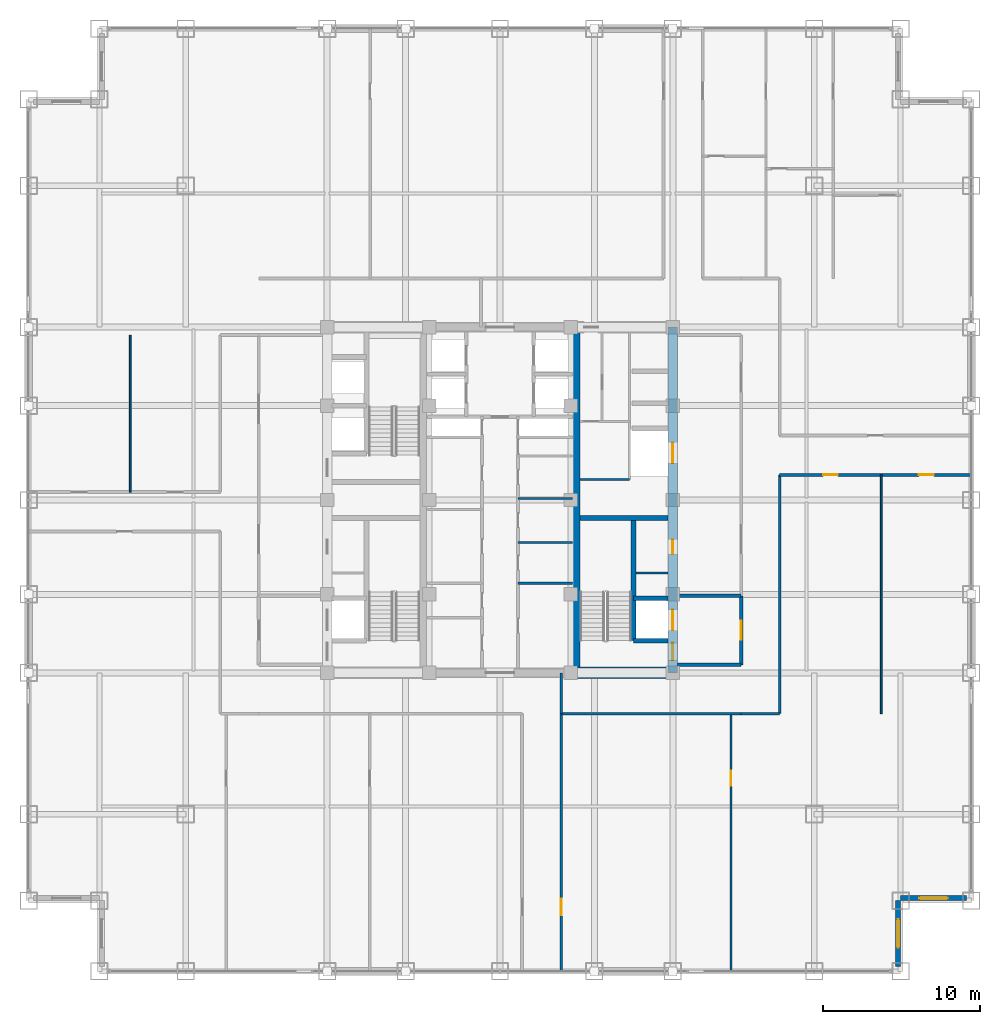
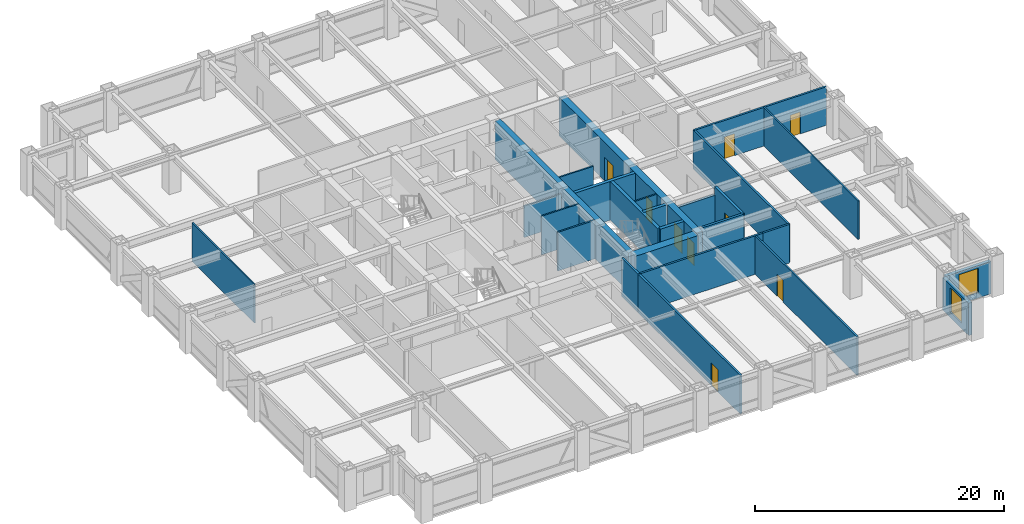
# One storey, part 21 of 24: 26 walls, 9 doors, 2 windows, 11 openings.
"""IFC4 building model written with IfcOpenShell, lengths in metres."""

from ifc_helpers import new_model, si_unit, direction, frame, frame_2d, origin, place, context, subcontext, project, spatial, rectangle, extrude, source, transform, mapped, material, layer, layer_set, type_object, element, fill, save


model = new_model("IFC4")

# Units and contexts
model_context = context("Model", 3, precision=1e-05, world=origin(), true_north=direction((0.0, 1.0)))
body_context = subcontext(model_context, "Body", "Model", "MODEL_VIEW")
ifc_project = project(units=[si_unit("LENGTHUNIT", "METRE"), si_unit("AREAUNIT", "SQUARE_METRE"), si_unit("VOLUMEUNIT", "CUBIC_METRE"), si_unit("PLANEANGLEUNIT", "RADIAN"), si_unit("MASSUNIT", "GRAM", prefix="KILO")], contexts=[model_context])

# Site, building, storey
site_placement = place(None, origin())
site = spatial("IfcSite", under=ifc_project, at=site_placement, CompositionType="ELEMENT")
building_placement = place(site_placement, origin())
building = spatial("IfcBuilding", under=site, at=building_placement, Name="Khorayat Bourse Tower", CompositionType="ELEMENT")
storey_placement = place(building_placement, frame((0.0, 0.0, 203.10009765625)))
storey = spatial("IfcBuildingStorey", under=building, at=storey_placement, Name="L47", CompositionType="ELEMENT", Elevation=203.10009765625)

# Wall, openings, doors
ifc_material_1 = material(Name="Concrete C60/75", Category="concrete")
ifc_layer_1 = layer(ifc_material_1, 0.60009765625)
ifc_layer_set_1 = layer_set([ifc_layer_1], Name="Concrete C60/75")
wall_type_1 = type_object("IfcWallType", Name="WAL-CORE-600", PredefinedType="SHEAR", material=ifc_layer_set_1)
shared_shape_1 = source(origin(), body_context, "Body", "SweptSolid", [
    extrude(rectangle(XDim=22.0, YDim=0.60009765625, at=frame_2d((11.0, 0.0))), origin(), (0.0, 0.0, 1.0), 3.77978515625),
])
wall_1_placement = place(storey_placement, frame((11.0, -11.0, 0.0), z_axis=(0.0, 0.0, 1.0), x_axis=(0.0, 1.0, 0.0)))
wall_1 = element("IfcWall", 1, at=wall_1_placement, inside=storey, type_object=wall_type_1, Name="L47 Core Shear Wall CORE-E", PredefinedType="SHEAR", context=body_context, shape_type="MappedRepresentation", body=[
    mapped(shared_shape_1, transform((0.0, 0.0, 0.0), scale=1.0)),
])
shared_shape_2 = source(origin(), body_context, "Body", "SweptSolid", [
    extrude(rectangle(XDim=1.10009765625, YDim=2.199951171875, at=frame_2d((0.550048828125, 1.10009765625))), frame((0.0, 0.31005859375, 0.0), z_axis=(0.0, -1.0, 0.0), x_axis=(1.0, 0.0, 0.0)), (0.0, 0.0, 1.0), 0.6201171875),
])
opening_1_placement = place(wall_1_placement, frame((0.800048828125, 0.0, 0.0)))
opening_1 = element("IfcOpeningElement", 2, at=opening_1_placement, cuts=wall_1, Name="Opening DI-01", PredefinedType="OPENING", context=body_context, shape_type="MappedRepresentation", body=[
    mapped(shared_shape_2, transform((0.0, 0.0, 0.0), scale=1.0)),
])
shared_shape_3 = source(origin(), body_context, "Body", "SweptSolid", [
    extrude(rectangle(XDim=0.89990234375, YDim=2.14990234375, at=frame_2d((0.449951171875, 1.074951171875))), frame((0.0, 0.31005859375, 0.0), z_axis=(0.0, -1.0, 0.0), x_axis=(1.0, 0.0, 0.0)), (0.0, 0.0, 1.0), 0.6201171875),
])
opening_2_placement = place(wall_1_placement, frame((7.574951171875, 0.0, 0.0)))
opening_2 = element("IfcOpeningElement", 3, at=opening_2_placement, cuts=wall_1, Name="Opening DI-06", PredefinedType="OPENING", context=body_context, shape_type="MappedRepresentation", body=[
    mapped(shared_shape_3, transform((0.0, 0.0, 0.0), scale=1.0)),
])
shared_shape_4 = source(origin(), body_context, "Body", "SweptSolid", [
    extrude(rectangle(XDim=1.300048828125, YDim=2.300048828125, at=frame_2d((0.64990234375, 1.14990234375))), frame((0.0, 0.31005859375, 0.0), z_axis=(0.0, -1.0, 0.0), x_axis=(1.0, 0.0, 0.0)), (0.0, 0.0, 1.0), 0.6201171875),
])
opening_3_placement = place(wall_1_placement, frame((2.699951171875, 0.0, 0.0)))
opening_3 = element("IfcOpeningElement", 4, at=opening_3_placement, cuts=wall_1, Name="Opening LD-02", PredefinedType="OPENING", context=body_context, shape_type="MappedRepresentation", body=[
    mapped(shared_shape_4, transform((0.0, 0.0, 0.0), scale=1.0)),
])
opening_4_placement = place(wall_1_placement, frame((13.35009765625, 0.0, 0.0)))
opening_4 = element("IfcOpeningElement", 5, at=opening_4_placement, cuts=wall_1, Name="Opening LD-02", PredefinedType="OPENING", context=body_context, shape_type="MappedRepresentation", body=[
    mapped(shared_shape_4, transform((0.0, 0.0, 0.0), scale=1.0)),
])
ifc_material_2 = material(Name="Fire-rated steel acoustic leaf", Category="steel")
door_type_1 = type_object("IfcDoorType", Name="DR-INT-STAIR-1100", OperationType="NOTDEFINED", PredefinedType="DOOR", material=ifc_material_2)
shared_shape_5 = source(origin(), body_context, "Body", "SweptSolid", [
    extrude(rectangle(XDim=1.10009765625, YDim=2.199951171875, at=frame_2d((0.550048828125, 1.10009765625))), frame((0.0, 0.02490234375, 0.0), z_axis=(0.0, -1.0, 0.0), x_axis=(1.0, 0.0, 0.0)), (0.0, 0.0, 1.0), 0.050048828125),
])
door_1_placement = place(opening_1_placement, origin())
door_1 = element("IfcDoor", 6, at=door_1_placement, inside=storey, type_object=door_type_1, Name="L47 Exit Stair 3 Door", OperationType="SINGLE_SWING_LEFT", OverallHeight=2.199951171875, OverallWidth=1.10009765625, PredefinedType="DOOR", context=body_context, shape_type="MappedRepresentation", body=[
    mapped(shared_shape_5, transform((0.0, 0.0, 0.0), scale=1.0)),
])
fill(opening_1, door_1)
ifc_material_3 = material(Name="Moisture-resistant laminate washroom door")
door_type_2 = type_object("IfcDoorType", Name="DR-INT-WC-900", OperationType="NOTDEFINED", PredefinedType="DOOR", material=ifc_material_3)
shared_shape_6 = source(origin(), body_context, "Body", "SweptSolid", [
    extrude(rectangle(XDim=0.89990234375, YDim=2.14990234375, at=frame_2d((0.449951171875, 1.074951171875))), frame((0.0, 0.02490234375, 0.0), z_axis=(0.0, -1.0, 0.0), x_axis=(1.0, 0.0, 0.0)), (0.0, 0.0, 1.0), 0.050048828125),
])
door_2_placement = place(opening_2_placement, origin())
door_2 = element("IfcDoor", 7, at=door_2_placement, inside=storey, type_object=door_type_2, Name="L47 Fiber Server Plant Room Door", OperationType="SINGLE_SWING_LEFT", OverallHeight=2.14990234375, OverallWidth=0.89990234375, PredefinedType="DOOR", context=body_context, shape_type="MappedRepresentation", body=[
    mapped(shared_shape_6, transform((0.0, 0.0, 0.0), scale=1.0)),
])
fill(opening_2, door_2)
ifc_material_4 = material(Name="Fire-rated stainless-steel sliding landing door", Category="steel")
door_type_3 = type_object("IfcDoorType", Name="DR-LIFT-FF-1300", OperationType="NOTDEFINED", PredefinedType="DOOR", material=ifc_material_4)
shared_shape_7 = source(origin(), body_context, "Body", "SweptSolid", [
    extrude(rectangle(XDim=1.300048828125, YDim=2.300048828125, at=frame_2d((0.64990234375, 1.14990234375))), frame((0.0, 0.02490234375, 0.0), z_axis=(0.0, -1.0, 0.0), x_axis=(1.0, 0.0, 0.0)), (0.0, 0.0, 1.0), 0.050048828125),
])
door_3_placement = place(opening_3_placement, origin())
door_3 = element("IfcDoor", 8, at=door_3_placement, inside=storey, type_object=door_type_3, Name="L47 Lift FFL-02 Sliding Landing Door", OperationType="SLIDING_TO_LEFT", OverallHeight=2.300048828125, OverallWidth=1.300048828125, PredefinedType="DOOR", context=body_context, shape_type="MappedRepresentation", body=[
    mapped(shared_shape_7, transform((0.0, 0.0, 0.0), scale=1.0)),
])
fill(opening_3, door_3)
door_4_placement = place(opening_4_placement, origin())
door_4 = element("IfcDoor", 9, at=door_4_placement, inside=storey, type_object=door_type_3, Name="L47 Lift SVL-01 Sliding Landing Door", OperationType="SLIDING_TO_LEFT", OverallHeight=2.300048828125, OverallWidth=1.300048828125, PredefinedType="DOOR", context=body_context, shape_type="MappedRepresentation", body=[
    mapped(shared_shape_7, transform((0.0, 0.0, 0.0), scale=1.0)),
])
fill(opening_4, door_4)

# Walls
ifc_material_5 = material(Name="Concrete C52/65", Category="concrete")
ifc_layer_2 = layer(ifc_material_5, 0.5)
ifc_layer_set_2 = layer_set([ifc_layer_2], Name="Concrete C52/65")
wall_type_2 = type_object("IfcWallType", Name="WAL-CORE-500", PredefinedType="SHEAR", material=ifc_layer_set_2)
shared_shape_8 = source(origin(), body_context, "Body", "SweptSolid", [
    extrude(rectangle(XDim=21.39990234375, YDim=0.5, at=frame_2d((10.699951171875, 0.0))), origin(), (0.0, 0.0, 1.0), 3.77978515625),
])
wall_2_placement = place(storey_placement, frame((4.85009765625, -10.699951171875, 0.0), z_axis=(0.0, 0.0, 1.0), x_axis=(0.0, 1.0, 0.0)))
element("IfcWall", 10, at=wall_2_placement, inside=storey, type_object=wall_type_2, Name="L47 Core Shear Wall PIER-E", PredefinedType="SHEAR", context=body_context, shape_type="MappedRepresentation", body=[
    mapped(shared_shape_8, transform((0.0, 0.0, 0.0), scale=1.0)),
])
ifc_material_6 = material(Name="Concrete C72/90", Category="concrete")
ifc_layer_3 = layer(ifc_material_6, 0.75)
ifc_layer_set_3 = layer_set([ifc_layer_3], Name="Concrete C72/90")
wall_type_3 = type_object("IfcWallType", Name="WAL-CORE-750", PredefinedType="SHEAR", material=ifc_layer_set_3)
shared_shape_9 = source(origin(), body_context, "Body", "SweptSolid", [
    extrude(rectangle(XDim=5.849853515625, YDim=0.75, at=frame_2d((2.9248046875, 0.0))), origin(), (0.0, 0.0, 1.0), 3.77978515625),
])
wall_3_placement = place(storey_placement, frame((4.85009765625, -11.0, 0.0), z_axis=(0.0, 0.0, 1.0), x_axis=(1.0, 0.0, 0.0)))
element("IfcWall", 11, at=wall_3_placement, inside=storey, type_object=wall_type_3, Name="L47 Core Shear Wall PIER-ES", PredefinedType="SHEAR", context=body_context, shape_type="MappedRepresentation", body=[
    mapped(shared_shape_9, transform((0.0, 0.0, 0.0), scale=1.0)),
])
ifc_material_7 = material(Name="Concrete C50/60", Category="concrete")
ifc_layer_4 = layer(ifc_material_7, 0.300048828125)
ifc_layer_set_4 = layer_set([ifc_layer_4], Name="Concrete C50/60")
wall_type_4 = type_object("IfcWallType", Name="WAL-SHAFT-300", PredefinedType="SHEAR", material=ifc_layer_set_4)
shared_shape_10 = source(origin(), body_context, "Body", "SweptSolid", [
    extrude(rectangle(XDim=5.599853515625, YDim=0.300048828125, at=frame_2d((2.7998046875, 0.0))), origin(), (0.0, 0.0, 1.0), 3.77978515625),
])
wall_4_placement = place(storey_placement, frame((5.10009765625, -1.14990234375, 0.0), z_axis=(0.0, 0.0, 1.0), x_axis=(1.0, 0.0, 0.0)))
element("IfcWall", 12, at=wall_4_placement, inside=storey, type_object=wall_type_4, Name="L47 Core Shear Wall ST3-DIV", PredefinedType="SHEAR", context=body_context, shape_type="MappedRepresentation", body=[
    mapped(shared_shape_10, transform((0.0, 0.0, 0.0), scale=1.0)),
])

# Wall, opening, window
ifc_material_8 = material(Name="Precast concrete C45/55", Category="concrete")
ifc_layer_5 = layer(ifc_material_8, 0.320068359375)
ifc_layer_set_5 = layer_set([ifc_layer_5], Name="Precast concrete C45/55")
wall_type_5 = type_object("IfcWallType", Name="WAL-EXT-STONE-320", PredefinedType="STANDARD", material=ifc_layer_set_5)
shared_shape_11 = source(origin(), body_context, "Body", "SweptSolid", [
    extrude(rectangle(XDim=4.179931640625, YDim=0.320068359375, at=frame_2d((2.08984375, 0.0))), origin(), (0.0, 0.0, 1.0), 3.163818359375),
])
wall_5_placement = place(storey_placement, frame((25.340087890625, -29.679931640625, 0.0), z_axis=(0.0, 0.0, 1.0), x_axis=(0.0, 1.0, 0.0)))
wall_5 = element("IfcWall", 13, at=wall_5_placement, inside=storey, type_object=wall_type_5, Name="L47 Re-Entrant Notch Limestone Wall SE-V", PredefinedType="STANDARD", context=body_context, shape_type="MappedRepresentation", body=[
    mapped(shared_shape_11, transform((0.0, 0.0, 0.0), scale=1.0)),
])
shared_shape_12 = source(origin(), body_context, "Body", "SweptSolid", [
    extrude(rectangle(XDim=1.800048828125, YDim=2.39990234375, at=frame_2d((0.89990234375, 1.199951171875))), frame((0.0, 0.169921875, 0.0), z_axis=(0.0, -1.0, 0.0), x_axis=(1.0, 0.0, 0.0)), (0.0, 0.0, 1.0), 0.340087890625),
])
opening_5_placement = place(wall_5_placement, frame((1.18994140625, 0.0, 0.5)))
opening_5 = element("IfcOpeningElement", 14, at=opening_5_placement, cuts=wall_5, Name="Opening WN-04", PredefinedType="OPENING", context=body_context, shape_type="MappedRepresentation", body=[
    mapped(shared_shape_12, transform((0.0, 0.0, 0.0), scale=1.0)),
])
ifc_material_9 = material(Name="Low-E acoustic laminated double glazing", Category="glass")
window_type = type_object("IfcWindowType", Name="WIN-NOTCH-1800x2400", PartitioningType="SINGLE_PANEL", PredefinedType="WINDOW", material=ifc_material_9)
shared_shape_13 = source(origin(), body_context, "Body", "SweptSolid", [
    extrude(rectangle(XDim=1.800048828125, YDim=2.39990234375, at=frame_2d((0.89990234375, 1.199951171875))), frame((0.0, 0.030029296875, 0.0), z_axis=(0.0, -1.0, 0.0), x_axis=(1.0, 0.0, 0.0)), (0.0, 0.0, 1.0), 0.06005859375),
])
window_1_placement = place(opening_5_placement, origin())
window_1 = element("IfcWindow", 15, at=window_1_placement, inside=storey, type_object=window_type, Name="L47 Facade Window 1", OverallHeight=2.39990234375, OverallWidth=1.800048828125, PartitioningType="SINGLE_PANEL", PredefinedType="WINDOW", context=body_context, shape_type="MappedRepresentation", body=[
    mapped(shared_shape_13, transform((0.0, 0.0, 0.0), scale=1.0)),
])
fill(opening_5, window_1)

wall_6_placement = place(storey_placement, frame((25.5, -25.340087890625, 0.0), z_axis=(0.0, 0.0, 1.0), x_axis=(1.0, 0.0, 0.0)))
wall_6 = element("IfcWall", 16, at=wall_6_placement, inside=storey, type_object=wall_type_5, Name="L47 Re-Entrant Notch Limestone Wall SE-H", PredefinedType="STANDARD", context=body_context, shape_type="MappedRepresentation", body=[
    mapped(shared_shape_11, transform((0.0, 0.0, 0.0), scale=1.0)),
])
opening_6_placement = place(wall_6_placement, frame((1.18994140625, 0.0, 0.5)))
opening_6 = element("IfcOpeningElement", 17, at=opening_6_placement, cuts=wall_6, Name="Opening WN-04", PredefinedType="OPENING", context=body_context, shape_type="MappedRepresentation", body=[
    mapped(shared_shape_12, transform((0.0, 0.0, 0.0), scale=1.0)),
])
window_2_placement = place(opening_6_placement, origin())
window_2 = element("IfcWindow", 18, at=window_2_placement, inside=storey, type_object=window_type, Name="L47 Facade Window 1", OverallHeight=2.39990234375, OverallWidth=1.800048828125, PartitioningType="SINGLE_PANEL", PredefinedType="WINDOW", context=body_context, shape_type="MappedRepresentation", body=[
    mapped(shared_shape_13, transform((0.0, 0.0, 0.0), scale=1.0)),
])
fill(opening_6, window_2)

# Walls
shared_shape_14 = source(origin(), body_context, "Body", "SweptSolid", [
    extrude(rectangle(XDim=7.800048828125, YDim=0.300048828125, at=frame_2d((3.89990234375, 0.0))), origin(), (0.0, 0.0, 1.0), 3.77978515625),
])
wall_7_placement = place(storey_placement, frame((8.5, -8.949951171875, 0.0), z_axis=(0.0, 0.0, 1.0), x_axis=(0.0, 1.0, 0.0)))
element("IfcWall", 19, at=wall_7_placement, inside=storey, type_object=wall_type_4, Name="L47 Partition WAL-L47-EPIER-SP", PredefinedType="SHEAR", context=body_context, shape_type="MappedRepresentation", body=[
    mapped(shared_shape_14, transform((0.0, 0.0, 0.0), scale=1.0)),
])
shared_shape_15 = source(origin(), body_context, "Body", "SweptSolid", [
    extrude(rectangle(XDim=2.199951171875, YDim=0.300048828125, at=frame_2d((1.10009765625, 0.0))), origin(), (0.0, 0.0, 1.0), 3.77978515625),
])
for number, where, z_axis, x_axis, name in (
    (20, (8.5, -8.949951171875, 0.0), (0.0, 0.0, 1.0), (1.0, 0.0, 0.0), "L47 Partition WAL-L47-EPIER-FF2S"),
    (21, (8.5, -6.25, 0.0), (0.0, 0.0, 1.0), (1.0, 0.0, 0.0), "L47 Partition WAL-L47-EPIER-FF2N"),
):
    element("IfcWall", number, at=place(storey_placement, frame(where, z_axis=z_axis, x_axis=x_axis)), inside=storey, type_object=wall_type_4, Name=name, PredefinedType="SHEAR", context=body_context, shape_type="MappedRepresentation", body=[
        mapped(shared_shape_15, transform((0.0, 0.0, 0.0), scale=1.0)),
    ])
ifc_material_10 = material(Name="Gypsum plasterboard twin-frame partition")
ifc_layer_6 = layer(ifc_material_10, 0.14990234375)
ifc_layer_set_6 = layer_set([ifc_layer_6], Name="Gypsum plasterboard twin-frame partition")
wall_type_6 = type_object("IfcWallType", Name="WAL-PART-SUITE-150", PredefinedType="PARTITIONING", material=ifc_layer_set_6)
shared_shape_16 = source(origin(), body_context, "Body", "SweptSolid", [
    extrude(rectangle(XDim=2.050048828125, YDim=0.14990234375, at=frame_2d((1.02490234375, 0.0))), origin(), (0.0, 0.0, 1.0), 3.77978515625),
])
wall_8_placement = place(storey_placement, frame((8.64990234375, -4.64990234375, 0.0), z_axis=(0.0, 0.0, 1.0), x_axis=(1.0, 0.0, 0.0)))
element("IfcWall", 22, at=wall_8_placement, inside=storey, type_object=wall_type_6, Name="L47 Partition WAL-L47-ESRV-S0", PredefinedType="PARTITIONING", context=body_context, shape_type="MappedRepresentation", body=[
    mapped(shared_shape_16, transform((0.0, 0.0, 0.0), scale=1.0)),
])
ifc_material_11 = material(Name="Moisture-resistant masonry partition", Category="masonry")
ifc_layer_7 = layer(ifc_material_11, 0.139892578125)
ifc_layer_set_7 = layer_set([ifc_layer_7], Name="Moisture-resistant masonry partition")
wall_type_7 = type_object("IfcWallType", Name="WAL-PART-WET-140", PredefinedType="PARTITIONING", material=ifc_layer_set_7)
shared_shape_17 = source(origin(), body_context, "Body", "SweptSolid", [
    extrude(rectangle(XDim=3.14990234375, YDim=0.139892578125, at=frame_2d((1.574951171875, 0.0))), origin(), (0.0, 0.0, 1.0), 3.77978515625),
])
wall_9_placement = place(storey_placement, frame((5.10009765625, 1.300048828125, 0.0), z_axis=(0.0, 0.0, 1.0), x_axis=(1.0, 0.0, 0.0)))
element("IfcWall", 23, at=wall_9_placement, inside=storey, type_object=wall_type_7, Name="L47 Partition WAL-L47-ECORE-S", PredefinedType="PARTITIONING", context=body_context, shape_type="MappedRepresentation", body=[
    mapped(shared_shape_17, transform((0.0, 0.0, 0.0), scale=1.0)),
])
ifc_material_12 = material(Name="Aerated concrete blockwork", Category="masonry")
ifc_layer_8 = layer(ifc_material_12, 0.219970703125)
ifc_layer_set_8 = layer_set([ifc_layer_8], Name="Aerated concrete blockwork")
wall_type_8 = type_object("IfcWallType", Name="WAL-PART-FF-220", PredefinedType="PARTITIONING", material=ifc_layer_set_8)
shared_shape_18 = source(origin(), body_context, "Body", "SweptSolid", [
    extrude(rectangle(XDim=4.050048828125, YDim=0.219970703125, at=frame_2d((2.02490234375, 0.0))), origin(), (0.0, 0.0, 1.0), 3.77978515625),
])
wall_10_placement = place(storey_placement, frame((11.300048828125, -10.5, 0.0), z_axis=(0.0, 0.0, 1.0), x_axis=(1.0, 0.0, 0.0)))
element("IfcWall", 24, at=wall_10_placement, inside=storey, type_object=wall_type_8, Name="L47 Partition WAL-L47-FFLE-S", PredefinedType="PARTITIONING", context=body_context, shape_type="MappedRepresentation", body=[
    mapped(shared_shape_18, transform((0.0, 0.0, 0.0), scale=1.0)),
])
shared_shape_19 = source(origin(), body_context, "Body", "SweptSolid", [
    extrude(rectangle(XDim=4.050048828125, YDim=0.219970703125, at=frame_2d((2.02490234375, 0.0))), origin(), (0.0, 0.0, 1.0), 3.0068359375),
])
wall_11_placement = place(storey_placement, frame((11.300048828125, -6.10009765625, 0.0), z_axis=(0.0, 0.0, 1.0), x_axis=(1.0, 0.0, 0.0)))
element("IfcWall", 25, at=wall_11_placement, inside=storey, type_object=wall_type_8, Name="L47 Partition WAL-L47-FFLE-N", PredefinedType="PARTITIONING", context=body_context, shape_type="MappedRepresentation", body=[
    mapped(shared_shape_19, transform((0.0, 0.0, 0.0), scale=1.0)),
])

# Wall, opening, door
shared_shape_20 = source(origin(), body_context, "Body", "SweptSolid", [
    extrude(rectangle(XDim=4.39990234375, YDim=0.219970703125, at=frame_2d((2.199951171875, 0.0))), origin(), (0.0, 0.0, 1.0), 3.77978515625),
])
wall_12_placement = place(storey_placement, frame((15.35009765625, -10.5, 0.0), z_axis=(0.0, 0.0, 1.0), x_axis=(0.0, 1.0, 0.0)))
wall_12 = element("IfcWall", 26, at=wall_12_placement, inside=storey, type_object=wall_type_8, Name="L47 Partition WAL-L47-FFLE-E", PredefinedType="PARTITIONING", context=body_context, shape_type="MappedRepresentation", body=[
    mapped(shared_shape_20, transform((0.0, 0.0, 0.0), scale=1.0)),
])
shared_shape_21 = source(origin(), body_context, "Body", "SweptSolid", [
    extrude(rectangle(XDim=1.199951171875, YDim=2.199951171875, at=frame_2d((0.60009765625, 1.10009765625))), frame((0.0, 0.119873046875, 0.0), z_axis=(0.0, -1.0, 0.0), x_axis=(1.0, 0.0, 0.0)), (0.0, 0.0, 1.0), 0.239990234375),
])
opening_7_placement = place(wall_12_placement, frame((1.60009765625, 0.0, 0.0)))
opening_7 = element("IfcOpeningElement", 27, at=opening_7_placement, cuts=wall_12, Name="Opening DI-02", PredefinedType="OPENING", context=body_context, shape_type="MappedRepresentation", body=[
    mapped(shared_shape_21, transform((0.0, 0.0, 0.0), scale=1.0)),
])
ifc_material_13 = material(Name="Fire-rated steel double-seal leaf", Category="steel")
door_type_4 = type_object("IfcDoorType", Name="DR-INT-FFLOBBY-1200", OperationType="NOTDEFINED", PredefinedType="DOOR", material=ifc_material_13)
shared_shape_22 = source(origin(), body_context, "Body", "SweptSolid", [
    extrude(rectangle(XDim=1.199951171875, YDim=2.199951171875, at=frame_2d((0.60009765625, 1.10009765625))), frame((0.0, 0.02490234375, 0.0), z_axis=(0.0, -1.0, 0.0), x_axis=(1.0, 0.0, 0.0)), (0.0, 0.0, 1.0), 0.050048828125),
])
door_5_placement = place(opening_7_placement, origin())
door_5 = element("IfcDoor", 28, at=door_5_placement, inside=storey, type_object=door_type_4, Name="L47 East Firefighting Lobby Door", OperationType="SINGLE_SWING_RIGHT", OverallHeight=2.199951171875, OverallWidth=1.199951171875, PredefinedType="DOOR", context=body_context, shape_type="MappedRepresentation", body=[
    mapped(shared_shape_22, transform((0.0, 0.0, 0.0), scale=1.0)),
])
fill(opening_7, door_5)

# Walls
shared_shape_23 = source(origin(), body_context, "Body", "SweptSolid", [
    extrude(rectangle(XDim=3.4501953125, YDim=0.14990234375, at=frame_2d((1.72509765625, 0.0))), origin(), (0.0, 0.0, 1.0), 3.77978515625),
])
wall_13_placement = place(storey_placement, frame((1.14990234375, -5.300048828125, 0.0), z_axis=(0.0, 0.0, 1.0), x_axis=(1.0, 0.0, 0.0)))
element("IfcWall", 29, at=wall_13_placement, inside=storey, type_object=wall_type_6, Name="L47 Partition WAL-L47-FB1-NE", PredefinedType="PARTITIONING", context=body_context, shape_type="MappedRepresentation", body=[
    mapped(shared_shape_23, transform((0.0, 0.0, 0.0), scale=1.0)),
])
shared_shape_24 = source(origin(), body_context, "Body", "SweptSolid", [
    extrude(rectangle(XDim=3.4501953125, YDim=0.139892578125, at=frame_2d((1.72509765625, 0.0))), origin(), (0.0, 0.0, 1.0), 3.77978515625),
])
wall_14_placement = place(storey_placement, frame((1.14990234375, -2.699951171875, 0.0), z_axis=(0.0, 0.0, 1.0), x_axis=(1.0, 0.0, 0.0)))
element("IfcWall", 30, at=wall_14_placement, inside=storey, type_object=wall_type_7, Name="L47 Partition WAL-L47-CME-D1", PredefinedType="PARTITIONING", context=body_context, shape_type="MappedRepresentation", body=[
    mapped(shared_shape_24, transform((0.0, 0.0, 0.0), scale=1.0)),
])
shared_shape_25 = source(origin(), body_context, "Body", "SweptSolid", [
    extrude(rectangle(XDim=3.4501953125, YDim=0.139892578125, at=frame_2d((1.72509765625, 0.0))), origin(), (0.0, 0.0, 1.0), 3.0849609375),
])
wall_15_placement = place(storey_placement, frame((1.14990234375, 0.10009765625, 0.0), z_axis=(0.0, 0.0, 1.0), x_axis=(1.0, 0.0, 0.0)))
element("IfcWall", 31, at=wall_15_placement, inside=storey, type_object=wall_type_7, Name="L47 Partition WAL-L47-CME-D2", PredefinedType="PARTITIONING", context=body_context, shape_type="MappedRepresentation", body=[
    mapped(shared_shape_25, transform((0.0, 0.0, 0.0), scale=1.0)),
])
ifc_material_14 = material(Name="Gypsum plasterboard acoustic stud wall")
ifc_layer_9 = layer(ifc_material_14, 0.179931640625)
ifc_layer_set_9 = layer_set([ifc_layer_9], Name="Gypsum plasterboard acoustic stud wall")
wall_type_9 = type_object("IfcWallType", Name="WAL-PART-CORR-180", PredefinedType="PARTITIONING", material=ifc_layer_set_9)
shared_shape_26 = source(origin(), body_context, "Body", "SweptSolid", [
    extrude(rectangle(XDim=2.449951171875, YDim=0.179931640625, at=frame_2d((1.22509765625, 0.0))), origin(), (0.0, 0.0, 1.0), 3.77978515625),
])
wall_16_placement = place(storey_placement, frame((15.35009765625, -13.60009765625, 0.0), z_axis=(0.0, 0.0, 1.0), x_axis=(1.0, 0.0, 0.0)))
element("IfcWall", 32, at=wall_16_placement, inside=storey, type_object=wall_type_9, Name="L47 Partition WAL-L47-C2-ES", PredefinedType="PARTITIONING", context=body_context, shape_type="MappedRepresentation", body=[
    mapped(shared_shape_26, transform((0.0, 0.0, 0.0), scale=1.0)),
])
shared_shape_27 = source(origin(), body_context, "Body", "SweptSolid", [
    extrude(rectangle(XDim=11.4501953125, YDim=0.179931640625, at=frame_2d((5.72509765625, 0.0))), origin(), (0.0, 0.0, 1.0), 3.77978515625),
])
wall_17_placement = place(storey_placement, frame((3.89990234375, -13.60009765625, 0.0), z_axis=(0.0, 0.0, 1.0), x_axis=(1.0, 0.0, 0.0)))
element("IfcWall", 33, at=wall_17_placement, inside=storey, type_object=wall_type_9, Name="L47 Partition WAL-L47-QSE-HC", PredefinedType="PARTITIONING", context=body_context, shape_type="MappedRepresentation", body=[
    mapped(shared_shape_27, transform((0.0, 0.0, 0.0), scale=1.0)),
])

# Wall, openings, doors
shared_shape_28 = source(origin(), body_context, "Body", "SweptSolid", [
    extrude(rectangle(XDim=12.199951171875, YDim=0.179931640625, at=frame_2d((6.10009765625, 0.0))), origin(), (0.0, 0.0, 1.0), 3.77978515625),
])
wall_18_placement = place(storey_placement, frame((17.800048828125, 1.60009765625, 0.0), z_axis=(0.0, 0.0, 1.0), x_axis=(1.0, 0.0, 0.0)))
wall_18 = element("IfcWall", 34, at=wall_18_placement, inside=storey, type_object=wall_type_9, Name="L47 Partition WAL-L47-ES-SPK", PredefinedType="PARTITIONING", context=body_context, shape_type="MappedRepresentation", body=[
    mapped(shared_shape_28, transform((0.0, 0.0, 0.0), scale=1.0)),
])
shared_shape_29 = source(origin(), body_context, "Body", "SweptSolid", [
    extrude(rectangle(XDim=0.949951171875, YDim=2.14990234375, at=frame_2d((0.47509765625, 1.074951171875))), frame((0.0, 0.099853515625, 0.0), z_axis=(0.0, -1.0, 0.0), x_axis=(1.0, 0.0, 0.0)), (0.0, 0.0, 1.0), 0.199951171875),
])
opening_8_placement = place(wall_18_placement, frame((2.758056640625, 0.0, 0.0)))
opening_8 = element("IfcOpeningElement", 35, at=opening_8_placement, cuts=wall_18, Name="Opening DI-05", PredefinedType="OPENING", context=body_context, shape_type="MappedRepresentation", body=[
    mapped(shared_shape_29, transform((0.0, 0.0, 0.0), scale=1.0)),
])
opening_9_placement = place(wall_18_placement, frame((8.85791015625, 0.0, 0.0)))
opening_9 = element("IfcOpeningElement", 36, at=opening_9_placement, cuts=wall_18, Name="Opening DI-05", PredefinedType="OPENING", context=body_context, shape_type="MappedRepresentation", body=[
    mapped(shared_shape_29, transform((0.0, 0.0, 0.0), scale=1.0)),
])
ifc_material_15 = material(Name="Acoustic oak veneer office door")
door_type_5 = type_object("IfcDoorType", Name="DR-INT-OFFICE-950", OperationType="NOTDEFINED", PredefinedType="DOOR", material=ifc_material_15)
shared_shape_30 = source(origin(), body_context, "Body", "SweptSolid", [
    extrude(rectangle(XDim=0.949951171875, YDim=2.14990234375, at=frame_2d((0.47509765625, 1.074951171875))), frame((0.0, 0.02490234375, 0.0), z_axis=(0.0, -1.0, 0.0), x_axis=(1.0, 0.0, 0.0)), (0.0, 0.0, 1.0), 0.050048828125),
])
door_6_placement = place(opening_8_placement, origin())
door_6 = element("IfcDoor", 37, at=door_6_placement, inside=storey, type_object=door_type_5, Name="L47 Floor Reception Concierge ESA Door", OperationType="SINGLE_SWING_LEFT", OverallHeight=2.14990234375, OverallWidth=0.949951171875, PredefinedType="DOOR", context=body_context, shape_type="MappedRepresentation", body=[
    mapped(shared_shape_30, transform((0.0, 0.0, 0.0), scale=1.0)),
])
fill(opening_8, door_6)
door_7_placement = place(opening_9_placement, origin())
door_7 = element("IfcDoor", 38, at=door_7_placement, inside=storey, type_object=door_type_5, Name="L47 Catering Servery Kitchen ESB Door", OperationType="SINGLE_SWING_RIGHT", OverallHeight=2.14990234375, OverallWidth=0.949951171875, PredefinedType="DOOR", context=body_context, shape_type="MappedRepresentation", body=[
    mapped(shared_shape_30, transform((0.0, 0.0, 0.0), scale=1.0)),
])
fill(opening_9, door_7)

# Wall
shared_shape_31 = source(origin(), body_context, "Body", "SweptSolid", [
    extrude(rectangle(XDim=2.60009765625, YDim=0.179931640625, at=frame_2d((1.300048828125, 0.0))), origin(), (0.0, 0.0, 1.0), 3.77978515625),
])
wall_19_placement = place(storey_placement, frame((3.89990234375, -13.60009765625, 0.0), z_axis=(0.0, 0.0, 1.0), x_axis=(0.0, 1.0, 0.0)))
element("IfcWall", 39, at=wall_19_placement, inside=storey, type_object=wall_type_9, Name="L47 Partition WAL-L47-C2-SCE", PredefinedType="PARTITIONING", context=body_context, shape_type="MappedRepresentation", body=[
    mapped(shared_shape_31, transform((0.0, 0.0, 0.0), scale=1.0)),
])

# Wall, opening, door
shared_shape_32 = source(origin(), body_context, "Body", "SweptSolid", [
    extrude(rectangle(XDim=16.39990234375, YDim=0.14990234375, at=frame_2d((8.199951171875, 0.0))), origin(), (0.0, 0.0, 1.0), 3.77978515625),
])
wall_20_placement = place(storey_placement, frame((14.699951171875, -30.0, 0.0), z_axis=(0.0, 0.0, 1.0), x_axis=(0.0, 1.0, 0.0)))
wall_20 = element("IfcWall", 40, at=wall_20_placement, inside=storey, type_object=wall_type_6, Name="L47 Partition WAL-L47-QSEDV-1", PredefinedType="PARTITIONING", context=body_context, shape_type="MappedRepresentation", body=[
    mapped(shared_shape_32, transform((0.0, 0.0, 0.0), scale=1.0)),
])
shared_shape_33 = source(origin(), body_context, "Body", "SweptSolid", [
    extrude(rectangle(XDim=0.949951171875, YDim=2.14990234375, at=frame_2d((0.47509765625, 1.074951171875))), frame((0.0, 0.0849609375, 0.0), z_axis=(0.0, -1.0, 0.0), x_axis=(1.0, 0.0, 0.0)), (0.0, 0.0, 1.0), 0.169921875),
])
opening_10_placement = place(wall_20_placement, frame((11.824951171875, 0.0, 0.0)))
opening_10 = element("IfcOpeningElement", 41, at=opening_10_placement, cuts=wall_20, Name="Opening DI-05", PredefinedType="OPENING", context=body_context, shape_type="MappedRepresentation", body=[
    mapped(shared_shape_33, transform((0.0, 0.0, 0.0), scale=1.0)),
])
door_8_placement = place(opening_10_placement, origin())
door_8 = element("IfcDoor", 42, at=door_8_placement, inside=storey, type_object=door_type_5, Name="L47 South-East Suite Link 1", OperationType="SINGLE_SWING_RIGHT", OverallHeight=2.14990234375, OverallWidth=0.949951171875, PredefinedType="DOOR", context=body_context, shape_type="MappedRepresentation", body=[
    mapped(shared_shape_30, transform((0.0, 0.0, 0.0), scale=1.0)),
])
fill(opening_10, door_8)

shared_shape_34 = source(origin(), body_context, "Body", "SweptSolid", [
    extrude(rectangle(XDim=16.39990234375, YDim=0.179931640625, at=frame_2d((8.199951171875, 0.0))), origin(), (0.0, 0.0, 1.0), 3.77978515625),
])
wall_21_placement = place(storey_placement, frame((3.89990234375, -30.0, 0.0), z_axis=(0.0, 0.0, 1.0), x_axis=(0.0, 1.0, 0.0)))
wall_21 = element("IfcWall", 43, at=wall_21_placement, inside=storey, type_object=wall_type_9, Name="L47 Partition WAL-L47-QSE-SPK", PredefinedType="PARTITIONING", context=body_context, shape_type="MappedRepresentation", body=[
    mapped(shared_shape_34, transform((0.0, 0.0, 0.0), scale=1.0)),
])
shared_shape_35 = source(origin(), body_context, "Body", "SweptSolid", [
    extrude(rectangle(XDim=1.050048828125, YDim=2.199951171875, at=frame_2d((0.52490234375, 1.10009765625))), frame((0.0, 0.099853515625, 0.0), z_axis=(0.0, -1.0, 0.0), x_axis=(1.0, 0.0, 0.0)), (0.0, 0.0, 1.0), 0.199951171875),
])
opening_11_placement = place(wall_21_placement, frame((3.574951171875, 0.0, 0.0)))
opening_11 = element("IfcOpeningElement", 44, at=opening_11_placement, cuts=wall_21, Name="Opening DI-04", PredefinedType="OPENING", context=body_context, shape_type="MappedRepresentation", body=[
    mapped(shared_shape_35, transform((0.0, 0.0, 0.0), scale=1.0)),
])
ifc_material_16 = material(Name="Fire-rated oak veneer suite entrance door")
door_type_6 = type_object("IfcDoorType", Name="DR-INT-SUITE-1050", OperationType="NOTDEFINED", PredefinedType="DOOR", material=ifc_material_16)
shared_shape_36 = source(origin(), body_context, "Body", "SweptSolid", [
    extrude(rectangle(XDim=1.050048828125, YDim=2.199951171875, at=frame_2d((0.52490234375, 1.10009765625))), frame((0.0, 0.02490234375, 0.0), z_axis=(0.0, -1.0, 0.0), x_axis=(1.0, 0.0, 0.0)), (0.0, 0.0, 1.0), 0.050048828125),
])
door_9_placement = place(opening_11_placement, origin())
door_9 = element("IfcDoor", 45, at=door_9_placement, inside=storey, type_object=door_type_6, Name="L47 South-East Radial Spoke Entry", OperationType="SINGLE_SWING_LEFT", OverallHeight=2.199951171875, OverallWidth=1.050048828125, PredefinedType="DOOR", context=body_context, shape_type="MappedRepresentation", body=[
    mapped(shared_shape_36, transform((0.0, 0.0, 0.0), scale=1.0)),
])
fill(opening_11, door_9)

# Walls
ifc_material_17 = material(Name="Gypsum plasterboard partition")
ifc_layer_10 = layer(ifc_material_17, 0.125)
ifc_layer_set_10 = layer_set([ifc_layer_10], Name="Gypsum plasterboard partition")
wall_type_10 = type_object("IfcWallType", Name="WAL-PART-ROOM-125", PredefinedType="PARTITIONING", material=ifc_layer_set_10)
shared_shape_37 = source(origin(), body_context, "Body", "SweptSolid", [
    extrude(rectangle(XDim=10.0, YDim=0.125, at=frame_2d((5.0, 0.0))), origin(), (0.0, 0.0, 1.0), 3.77978515625),
])
wall_22_placement = place(storey_placement, frame((-23.533935546875, 0.5, 0.0), z_axis=(0.0, 0.0, 1.0), x_axis=(0.0, 1.0, 0.0)))
element("IfcWall", 46, at=wall_22_placement, inside=storey, type_object=wall_type_10, Name="L47 Partition WAL-L47-WN-DV", PredefinedType="PARTITIONING", context=body_context, shape_type="MappedRepresentation", body=[
    mapped(shared_shape_37, transform((0.0, 0.0, 0.0), scale=1.0)),
])
shared_shape_38 = source(origin(), body_context, "Body", "SweptSolid", [
    extrude(rectangle(XDim=15.2001953125, YDim=0.125, at=frame_2d((7.60009765625, 0.0))), origin(), (0.0, 0.0, 1.0), 3.77978515625),
])
wall_23_placement = place(storey_placement, frame((24.26611328125, -13.60009765625, 0.0), z_axis=(0.0, 0.0, 1.0), x_axis=(0.0, 1.0, 0.0)))
element("IfcWall", 47, at=wall_23_placement, inside=storey, type_object=wall_type_10, Name="L47 Partition WAL-L47-ES-DV", PredefinedType="PARTITIONING", context=body_context, shape_type="MappedRepresentation", body=[
    mapped(shared_shape_38, transform((0.0, 0.0, 0.0), scale=1.0)),
])
shared_shape_39 = source(origin(), body_context, "Body", "SweptSolid", [
    extrude(rectangle(XDim=15.2001953125, YDim=0.179931640625, at=frame_2d((7.60009765625, 0.0))), origin(), (0.0, 0.0, 1.0), 3.77978515625),
])
wall_24_placement = place(storey_placement, frame((17.800048828125, -13.60009765625, 0.0), z_axis=(0.0, 0.0, 1.0), x_axis=(0.0, 1.0, 0.0)))
element("IfcWall", 48, at=wall_24_placement, inside=storey, type_object=wall_type_9, Name="L47 Partition WAL-L47-ES-IN", PredefinedType="PARTITIONING", context=body_context, shape_type="MappedRepresentation", body=[
    mapped(shared_shape_39, transform((0.0, 0.0, 0.0), scale=1.0)),
])

save(model, "model.ifc")
